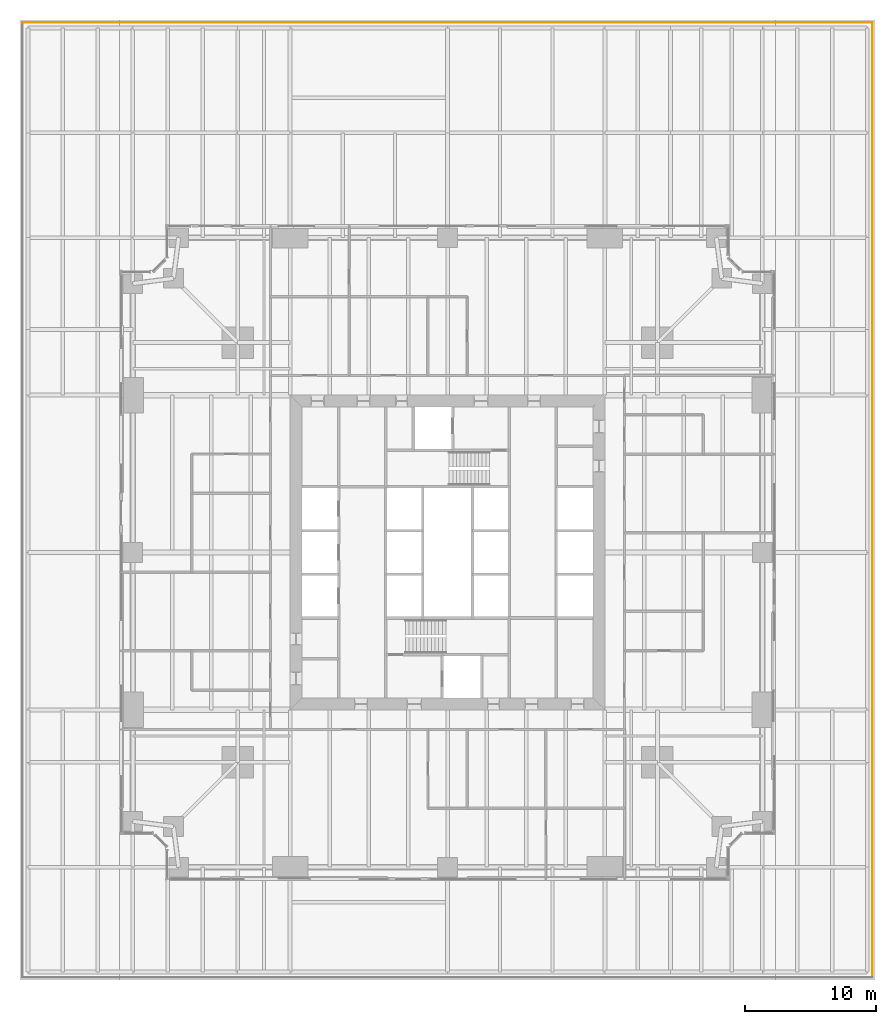
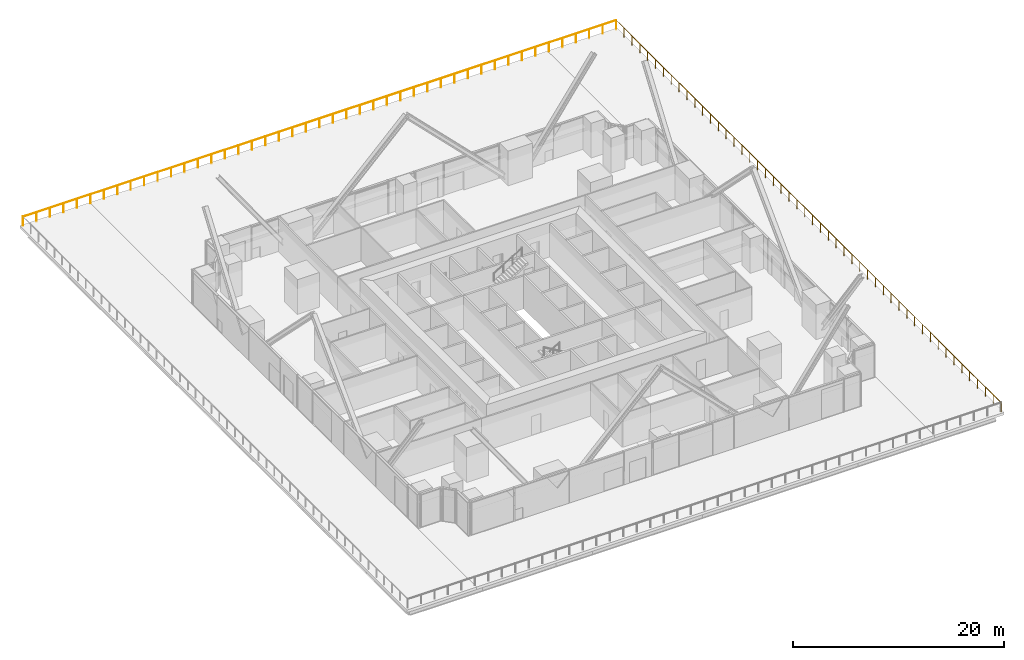
# One storey, part 21 of 21: 2 railings.
"""IFC4 building model written with IfcOpenShell, lengths in metres."""

import ifcopenshell
import ifcopenshell.guid

model = None  # the IFC model being written
_history = None  # IfcOwnerHistory: only IFC2X3 demands one
_inside = {}  # id of a spatial element -> (the spatial element, [elements in it])
_under = {}  # id of a project, library or spatial element -> (it, [spatial elements below it])
_declared = {}  # id of a project -> (the project, [libraries it declares])
_typed = {}  # id of a type object -> (the type object, [elements of that type])
_made_of = {}  # id of a material, layer set ... -> (it, [elements and type objects made of it])


def new_model(schema):
    """Start an empty IFC model of exactly this schema.

    Asked for "IFC4X3", IfcOpenShell would pick the latest addendum, in which some entities
    have other attributes; the version numbers below select the first issue.
    IFC2X3 requires an IfcOwnerHistory on every rooted entity: one is made here for all.
    """
    global model, _history
    if schema == "IFC4X3":
        model = ifcopenshell.file(schema_version=(4, 3, 0, 0))
    else:
        model = ifcopenshell.file(schema=schema)
    _inside.clear()
    _under.clear()
    _declared.clear()
    _typed.clear()
    _made_of.clear()
    _history = None
    if model.schema == "IFC2X3":
        org = make("IfcOrganization", Name="unknown")
        user = make(
            "IfcPersonAndOrganization",
            ThePerson=make("IfcPerson", FamilyName="unknown"),
            TheOrganization=org,
        )
        app = make(
            "IfcApplication",
            ApplicationDeveloper=org,
            Version="unknown",
            ApplicationFullName="unknown",
            ApplicationIdentifier="unknown",
        )
        _history = make(
            "IfcOwnerHistory",
            OwningUser=user,
            OwningApplication=app,
            ChangeAction="ADDED",
            CreationDate=0,
        )
    return model


def make(cls, **values):
    """One entity of the class cls with the attributes given. An attribute that is None is left unset."""
    return model.create_entity(
        cls, **{name: value for name, value in values.items() if value is not None}
    )


def rooted(cls, **values):
    """An entity with a GlobalId (a new one), such as an element, a storey or a relation."""
    return make(cls, GlobalId=ifcopenshell.guid.new(), OwnerHistory=_history, **values)


def si_unit(unit_type, name, prefix=None):
    """IfcSIUnit, for example si_unit("LENGTHUNIT", "METRE", prefix="MILLI")."""
    return make("IfcSIUnit", UnitType=unit_type, Prefix=prefix, Name=name)


def assignment(units):
    """IfcUnitAssignment: the units of a project."""
    return None if units is None else make("IfcUnitAssignment", Units=units)


def point(xyz):
    """IfcCartesianPoint."""
    return None if xyz is None else make("IfcCartesianPoint", Coordinates=xyz)


def direction(xyz):
    """IfcDirection."""
    return None if xyz is None else make("IfcDirection", DirectionRatios=xyz)


def frame(location, z_axis=None, x_axis=None):
    """IfcAxis2Placement3D, a coordinate frame: its origin and axes. An axis left out is left unset."""
    return make(
        "IfcAxis2Placement3D",
        Location=point(location),
        Axis=direction(z_axis),
        RefDirection=direction(x_axis),
    )


def frame_2d(location, x_axis=None):
    """IfcAxis2Placement2D, a coordinate frame in the plane: its origin and x axis."""
    return make(
        "IfcAxis2Placement2D", Location=point(location), RefDirection=direction(x_axis)
    )


def origin():
    """The frame at (0, 0, 0) with its axes left unset."""
    return frame((0.0, 0.0, 0.0))


def origin_2d():
    """The frame at (0, 0) in the plane with its x axis left unset."""
    return frame_2d((0.0, 0.0))


def place(relative_to, where):
    """IfcLocalPlacement: puts the frame where relative to a parent placement (None: the world)."""
    return make(
        "IfcLocalPlacement", PlacementRelTo=relative_to, RelativePlacement=where
    )


def context(
    kind, dimensions, precision=None, world=None, true_north=None, identifier=None
):
    """IfcGeometricRepresentationContext, for example the 3D "Model" context."""
    return make(
        "IfcGeometricRepresentationContext",
        ContextIdentifier=identifier,
        ContextType=kind,
        CoordinateSpaceDimension=dimensions,
        Precision=precision,
        WorldCoordinateSystem=world,
        TrueNorth=true_north,
    )


def subcontext(parent, identifier, kind, view, scale=None):
    """IfcGeometricRepresentationSubContext, for example "Body" below "Model"."""
    return make(
        "IfcGeometricRepresentationSubContext",
        ContextIdentifier=identifier,
        ContextType=kind,
        ParentContext=parent,
        TargetScale=scale,
        TargetView=view,
    )


def project(units=None, contexts=None):
    """IfcProject with its units and contexts."""
    return rooted(
        "IfcProject",
        Name="project",
        RepresentationContexts=contexts,
        UnitsInContext=assignment(units),
    )


def spatial(cls, under=None, at=None, **own):
    """A site, building, storey or space (cls), placed at a placement, below another one or the project."""
    s = rooted(cls, ObjectPlacement=at, **own)
    if under is not None:
        _under.setdefault(under.id(), (under, []))[1].append(s)
    return s


def profile(cls, at=None, kind="AREA", **sizes):
    """A parametric profile (cls). Its sizes go by their IFC names, for example OverallWidth=200.0."""
    return make(cls, ProfileType=kind, Position=at, **sizes)


def circle(**sizes):
    """IfcCircleProfileDef."""
    return profile("IfcCircleProfileDef", **sizes)


def extrude(swept, where, along, depth):
    """IfcExtrudedAreaSolid: the profile swept, set in the frame where, extruded along a direction by depth."""
    return make(
        "IfcExtrudedAreaSolid",
        SweptArea=swept,
        Position=where,
        ExtrudedDirection=direction(along),
        Depth=depth,
    )


def shape(context_of_items, identifier, shape_type, items):
    """IfcShapeRepresentation: the items that make up one representation, for example the "Body"."""
    return make(
        "IfcShapeRepresentation",
        ContextOfItems=context_of_items,
        RepresentationIdentifier=identifier,
        RepresentationType=shape_type,
        Items=items,
    )


def material(Name=None, Category=None):
    """IfcMaterial."""
    return make("IfcMaterial", Name=Name, Category=Category)


def made_of(thing, what):
    """Note that an element or type object is made of a material, layer set ...; save() writes the relation."""
    if what is not None:
        _made_of.setdefault(what.id(), (what, []))[1].append(thing)
    return thing


def type_object(cls, material=None, **own):
    """A type object (cls), such as IfcWallType, which elements share."""
    return made_of(rooted(cls, **own), material)


def element(
    cls,
    number,
    at=None,
    inside=None,
    cuts=None,
    type_object=None,
    material=None,
    context=None,
    identifier="Body",
    shape_type=None,
    held_by="IfcProductDefinitionShape",
    body=None,
    shapes=None,
    **own,
):
    """One element of the class cls, such as IfcWall. Its Tag is "e" and its number.

    at: its placement. inside: the storey or other place that contains it. cuts: it is an
    opening in that element (IfcRelVoidsElement). A single representation is given by context,
    identifier, shape_type and body (its items); several are given by shapes. held_by: the class
    of the entity that holds the representations. save() writes the other relations.
    """
    e = rooted(cls, Tag="e%d" % number, ObjectPlacement=at, **own)
    if body is not None:
        shapes = [shape(context, identifier, shape_type, body)]
    if shapes is not None:
        e.Representation = make(held_by, Representations=shapes)
    if inside is not None:
        _inside.setdefault(inside.id(), (inside, []))[1].append(e)
    if cuts is not None:
        rooted(
            "IfcRelVoidsElement", RelatingBuildingElement=cuts, RelatedOpeningElement=e
        )
    if type_object is not None:
        _typed.setdefault(type_object.id(), (type_object, []))[1].append(e)
    return made_of(e, material)


def aggregate(whole, parts):
    """IfcRelAggregates: a whole, such as a stair, and the parts it consists of."""
    return rooted("IfcRelAggregates", RelatingObject=whole, RelatedObjects=parts)


def save(model, path):
    """Write the relations noted so far, then the file.

    IfcRelAggregates (storeys below a building ...), IfcRelContainedInSpatialStructure (elements
    in a storey), IfcRelDefinesByType, IfcRelAssociatesMaterial and IfcRelDeclares: one each for
    every whole, place, type object, material and project.
    """
    for whole, parts in _under.values():
        aggregate(whole, parts)
    for where, things in _inside.values():
        rooted(
            "IfcRelContainedInSpatialStructure",
            RelatedElements=things,
            RelatingStructure=where,
        )
    for kind, things in _typed.values():
        rooted("IfcRelDefinesByType", RelatedObjects=things, RelatingType=kind)
    for what, things in _made_of.values():
        rooted("IfcRelAssociatesMaterial", RelatedObjects=things, RelatingMaterial=what)
    for by, libraries in _declared.values():
        rooted("IfcRelDeclares", RelatingContext=by, RelatedDefinitions=libraries)
    model.write(path)


model = new_model("IFC4")

# Units and contexts
model_context = context("Model", 3, precision=1e-05, world=origin(), true_north=direction((0.0, 1.0)))
body_context = subcontext(model_context, "Body", "Model", "MODEL_VIEW")
ifc_project = project(units=[si_unit("LENGTHUNIT", "METRE"), si_unit("AREAUNIT", "SQUARE_METRE"), si_unit("VOLUMEUNIT", "CUBIC_METRE"), si_unit("PLANEANGLEUNIT", "RADIAN"), si_unit("MASSUNIT", "GRAM", prefix="KILO")], contexts=[model_context])

# Site, building, storey
site_placement = place(None, origin())
site = spatial("IfcSite", under=ifc_project, at=site_placement, CompositionType="ELEMENT")
building_placement = place(site_placement, origin())
building = spatial("IfcBuilding", under=site, at=building_placement, Name="Fenwick Lantern Interchange", CompositionType="ELEMENT")
storey_placement = place(building_placement, frame((0.0, 0.0, 31.0)))
storey = spatial("IfcBuildingStorey", under=building, at=storey_placement, Name="L06", CompositionType="ELEMENT", Elevation=31.0)

# Railings
ifc_material = material(Name="Stainless steel and laminated glass guard", Category="steel")
railing_type = type_object("IfcRailingType", Name="TERRACE GUARD 1100", PredefinedType="GUARDRAIL", material=ifc_material)
railing_1_placement = place(storey_placement, frame((57.39990234375, -7.39990234375, 0.0)))
element("IfcRailing", 1, at=railing_1_placement, inside=storey, type_object=railing_type, Name="L06/GR/2", PredefinedType="GUARDRAIL", context=body_context, shape_type="SweptSolid", body=[
    extrude(circle(Radius=0.02392578125, at=origin_2d()), frame((0.0, 0.0, 1.076171875), z_axis=(0.0, 1.0, 0.0), x_axis=(-1.0, 0.0, 0.0)), (0.0, 0.0, 1.0), 72.7998046875),
    extrude(circle(Radius=0.02099609375, at=origin_2d()), origin(), (0.0, 0.0, 1.0), 1.052001953125),
    extrude(circle(Radius=0.02099609375, at=origin_2d()), frame((0.0, 1.485595703125, 0.0)), (0.0, 0.0, 1.0), 1.052001953125),
    extrude(circle(Radius=0.02099609375, at=origin_2d()), frame((0.0, 2.971435546875, 0.0)), (0.0, 0.0, 1.0), 1.052001953125),
    extrude(circle(Radius=0.02099609375, at=origin_2d()), frame((0.0, 4.45703125, 0.0)), (0.0, 0.0, 1.0), 1.052001953125),
    extrude(circle(Radius=0.02099609375, at=origin_2d()), frame((0.0, 5.94287109375, 0.0)), (0.0, 0.0, 1.0), 1.052001953125),
    extrude(circle(Radius=0.02099609375, at=origin_2d()), frame((0.0, 7.428466796875, 0.0)), (0.0, 0.0, 1.0), 1.052001953125),
    extrude(circle(Radius=0.02099609375, at=origin_2d()), frame((0.0, 8.914306640625, 0.0)), (0.0, 0.0, 1.0), 1.052001953125),
    extrude(circle(Radius=0.02099609375, at=origin_2d()), frame((0.0, 10.39990234375, 0.0)), (0.0, 0.0, 1.0), 1.052001953125),
    extrude(circle(Radius=0.02099609375, at=origin_2d()), frame((0.0, 11.8857421875, 0.0)), (0.0, 0.0, 1.0), 1.052001953125),
    extrude(circle(Radius=0.02099609375, at=origin_2d()), frame((0.0, 13.371337890625, 0.0)), (0.0, 0.0, 1.0), 1.052001953125),
    extrude(circle(Radius=0.02099609375, at=origin_2d()), frame((0.0, 14.857177734375, 0.0)), (0.0, 0.0, 1.0), 1.052001953125),
    extrude(circle(Radius=0.02099609375, at=origin_2d()), frame((0.0, 16.3427734375, 0.0)), (0.0, 0.0, 1.0), 1.052001953125),
    extrude(circle(Radius=0.02099609375, at=origin_2d()), frame((0.0, 17.82861328125, 0.0)), (0.0, 0.0, 1.0), 1.052001953125),
    extrude(circle(Radius=0.02099609375, at=origin_2d()), frame((0.0, 19.314208984375, 0.0)), (0.0, 0.0, 1.0), 1.052001953125),
    extrude(circle(Radius=0.02099609375, at=origin_2d()), frame((0.0, 20.800048828125, 0.0)), (0.0, 0.0, 1.0), 1.052001953125),
    extrude(circle(Radius=0.02099609375, at=origin_2d()), frame((0.0, 22.28564453125, 0.0)), (0.0, 0.0, 1.0), 1.052001953125),
    extrude(circle(Radius=0.02099609375, at=origin_2d()), frame((0.0, 23.771484375, 0.0)), (0.0, 0.0, 1.0), 1.052001953125),
    extrude(circle(Radius=0.02099609375, at=origin_2d()), frame((0.0, 25.257080078125, 0.0)), (0.0, 0.0, 1.0), 1.052001953125),
    extrude(circle(Radius=0.02099609375, at=origin_2d()), frame((0.0, 26.74267578125, 0.0)), (0.0, 0.0, 1.0), 1.052001953125),
    extrude(circle(Radius=0.02099609375, at=origin_2d()), frame((0.0, 28.228515625, 0.0)), (0.0, 0.0, 1.0), 1.052001953125),
    extrude(circle(Radius=0.02099609375, at=origin_2d()), frame((0.0, 29.714111328125, 0.0)), (0.0, 0.0, 1.0), 1.052001953125),
    extrude(circle(Radius=0.02099609375, at=origin_2d()), frame((0.0, 31.199951171875, 0.0)), (0.0, 0.0, 1.0), 1.052001953125),
    extrude(circle(Radius=0.02099609375, at=origin_2d()), frame((0.0, 32.685546875, 0.0)), (0.0, 0.0, 1.0), 1.052001953125),
    extrude(circle(Radius=0.02099609375, at=origin_2d()), frame((0.0, 34.17138671875, 0.0)), (0.0, 0.0, 1.0), 1.052001953125),
    extrude(circle(Radius=0.02099609375, at=origin_2d()), frame((0.0, 35.656982421875, 0.0)), (0.0, 0.0, 1.0), 1.052001953125),
    extrude(circle(Radius=0.02099609375, at=origin_2d()), frame((0.0, 37.142822265625, 0.0)), (0.0, 0.0, 1.0), 1.052001953125),
    extrude(circle(Radius=0.02099609375, at=origin_2d()), frame((0.0, 38.62841796875, 0.0)), (0.0, 0.0, 1.0), 1.052001953125),
    extrude(circle(Radius=0.02099609375, at=origin_2d()), frame((0.0, 40.1142578125, 0.0)), (0.0, 0.0, 1.0), 1.052001953125),
    extrude(circle(Radius=0.02099609375, at=origin_2d()), frame((0.0, 41.599853515625, 0.0)), (0.0, 0.0, 1.0), 1.052001953125),
    extrude(circle(Radius=0.02099609375, at=origin_2d()), frame((0.0, 43.085693359375, 0.0)), (0.0, 0.0, 1.0), 1.052001953125),
    extrude(circle(Radius=0.02099609375, at=origin_2d()), frame((0.0, 44.5712890625, 0.0)), (0.0, 0.0, 1.0), 1.052001953125),
    extrude(circle(Radius=0.02099609375, at=origin_2d()), frame((0.0, 46.05712890625, 0.0)), (0.0, 0.0, 1.0), 1.052001953125),
    extrude(circle(Radius=0.02099609375, at=origin_2d()), frame((0.0, 47.542724609375, 0.0)), (0.0, 0.0, 1.0), 1.052001953125),
    extrude(circle(Radius=0.02099609375, at=origin_2d()), frame((0.0, 49.0283203125, 0.0)), (0.0, 0.0, 1.0), 1.052001953125),
    extrude(circle(Radius=0.02099609375, at=origin_2d()), frame((0.0, 50.51416015625, 0.0)), (0.0, 0.0, 1.0), 1.052001953125),
    extrude(circle(Radius=0.02099609375, at=origin_2d()), frame((0.0, 51.999755859375, 0.0)), (0.0, 0.0, 1.0), 1.052001953125),
    extrude(circle(Radius=0.02099609375, at=origin_2d()), frame((0.0, 53.485595703125, 0.0)), (0.0, 0.0, 1.0), 1.052001953125),
    extrude(circle(Radius=0.02099609375, at=origin_2d()), frame((0.0, 54.97119140625, 0.0)), (0.0, 0.0, 1.0), 1.052001953125),
    extrude(circle(Radius=0.02099609375, at=origin_2d()), frame((0.0, 56.45703125, 0.0)), (0.0, 0.0, 1.0), 1.052001953125),
    extrude(circle(Radius=0.02099609375, at=origin_2d()), frame((0.0, 57.942626953125, 0.0)), (0.0, 0.0, 1.0), 1.052001953125),
    extrude(circle(Radius=0.02099609375, at=origin_2d()), frame((0.0, 59.428466796875, 0.0)), (0.0, 0.0, 1.0), 1.052001953125),
    extrude(circle(Radius=0.02099609375, at=origin_2d()), frame((0.0, 60.9140625, 0.0)), (0.0, 0.0, 1.0), 1.052001953125),
    extrude(circle(Radius=0.02099609375, at=origin_2d()), frame((0.0, 62.39990234375, 0.0)), (0.0, 0.0, 1.0), 1.052001953125),
    extrude(circle(Radius=0.02099609375, at=origin_2d()), frame((0.0, 63.885498046875, 0.0)), (0.0, 0.0, 1.0), 1.052001953125),
    extrude(circle(Radius=0.02099609375, at=origin_2d()), frame((0.0, 65.371337890625, 0.0)), (0.0, 0.0, 1.0), 1.052001953125),
    extrude(circle(Radius=0.02099609375, at=origin_2d()), frame((0.0, 66.85693359375, 0.0)), (0.0, 0.0, 1.0), 1.052001953125),
    extrude(circle(Radius=0.02099609375, at=origin_2d()), frame((0.0, 68.3427734375, 0.0)), (0.0, 0.0, 1.0), 1.052001953125),
    extrude(circle(Radius=0.02099609375, at=origin_2d()), frame((0.0, 69.828369140625, 0.0)), (0.0, 0.0, 1.0), 1.052001953125),
    extrude(circle(Radius=0.02099609375, at=origin_2d()), frame((0.0, 71.314208984375, 0.0)), (0.0, 0.0, 1.0), 1.052001953125),
    extrude(circle(Radius=0.02099609375, at=origin_2d()), frame((0.0, 72.7998046875, 0.0)), (0.0, 0.0, 1.0), 1.052001953125),
])
railing_2_placement = place(storey_placement, frame((57.39990234375, 65.39990234375, 0.0)))
element("IfcRailing", 2, at=railing_2_placement, inside=storey, type_object=railing_type, Name="L06/GR/3", PredefinedType="GUARDRAIL", context=body_context, shape_type="SweptSolid", body=[
    extrude(circle(Radius=0.02392578125, at=origin_2d()), frame((0.0, 0.0, 1.076171875), z_axis=(-1.0, 0.0, 0.0), x_axis=(0.0, -1.0, 0.0)), (0.0, 0.0, 1.0), 64.7998046875),
    extrude(circle(Radius=0.02099609375, at=origin_2d()), origin(), (0.0, 0.0, 1.0), 1.052001953125),
    extrude(circle(Radius=0.02099609375, at=origin_2d()), frame((-1.47265625, 0.0, 0.0)), (0.0, 0.0, 1.0), 1.052001953125),
    extrude(circle(Radius=0.02099609375, at=origin_2d()), frame((-2.945556640625, 0.0, 0.0)), (0.0, 0.0, 1.0), 1.052001953125),
    extrude(circle(Radius=0.02099609375, at=origin_2d()), frame((-4.418212890625, 0.0, 0.0)), (0.0, 0.0, 1.0), 1.052001953125),
    extrude(circle(Radius=0.02099609375, at=origin_2d()), frame((-5.890869140625, 0.0, 0.0)), (0.0, 0.0, 1.0), 1.052001953125),
    extrude(circle(Radius=0.02099609375, at=origin_2d()), frame((-7.363525390625, 0.0, 0.0)), (0.0, 0.0, 1.0), 1.052001953125),
    extrude(circle(Radius=0.02099609375, at=origin_2d()), frame((-8.83642578125, 0.0, 0.0)), (0.0, 0.0, 1.0), 1.052001953125),
    extrude(circle(Radius=0.02099609375, at=origin_2d()), frame((-10.30908203125, 0.0, 0.0)), (0.0, 0.0, 1.0), 1.052001953125),
    extrude(circle(Radius=0.02099609375, at=origin_2d()), frame((-11.78173828125, 0.0, 0.0)), (0.0, 0.0, 1.0), 1.052001953125),
    extrude(circle(Radius=0.02099609375, at=origin_2d()), frame((-13.25439453125, 0.0, 0.0)), (0.0, 0.0, 1.0), 1.052001953125),
    extrude(circle(Radius=0.02099609375, at=origin_2d()), frame((-14.727294921875, 0.0, 0.0)), (0.0, 0.0, 1.0), 1.052001953125),
    extrude(circle(Radius=0.02099609375, at=origin_2d()), frame((-16.199951171875, 0.0, 0.0)), (0.0, 0.0, 1.0), 1.052001953125),
    extrude(circle(Radius=0.02099609375, at=origin_2d()), frame((-17.672607421875, 0.0, 0.0)), (0.0, 0.0, 1.0), 1.052001953125),
    extrude(circle(Radius=0.02099609375, at=origin_2d()), frame((-19.1455078125, 0.0, 0.0)), (0.0, 0.0, 1.0), 1.052001953125),
    extrude(circle(Radius=0.02099609375, at=origin_2d()), frame((-20.6181640625, 0.0, 0.0)), (0.0, 0.0, 1.0), 1.052001953125),
    extrude(circle(Radius=0.02099609375, at=origin_2d()), frame((-22.0908203125, 0.0, 0.0)), (0.0, 0.0, 1.0), 1.052001953125),
    extrude(circle(Radius=0.02099609375, at=origin_2d()), frame((-23.5634765625, 0.0, 0.0)), (0.0, 0.0, 1.0), 1.052001953125),
    extrude(circle(Radius=0.02099609375, at=origin_2d()), frame((-25.036376953125, 0.0, 0.0)), (0.0, 0.0, 1.0), 1.052001953125),
    extrude(circle(Radius=0.02099609375, at=origin_2d()), frame((-26.509033203125, 0.0, 0.0)), (0.0, 0.0, 1.0), 1.052001953125),
    extrude(circle(Radius=0.02099609375, at=origin_2d()), frame((-27.981689453125, 0.0, 0.0)), (0.0, 0.0, 1.0), 1.052001953125),
    extrude(circle(Radius=0.02099609375, at=origin_2d()), frame((-29.454345703125, 0.0, 0.0)), (0.0, 0.0, 1.0), 1.052001953125),
    extrude(circle(Radius=0.02099609375, at=origin_2d()), frame((-30.92724609375, 0.0, 0.0)), (0.0, 0.0, 1.0), 1.052001953125),
    extrude(circle(Radius=0.02099609375, at=origin_2d()), frame((-32.39990234375, 0.0, 0.0)), (0.0, 0.0, 1.0), 1.052001953125),
    extrude(circle(Radius=0.02099609375, at=origin_2d()), frame((-33.87255859375, 0.0, 0.0)), (0.0, 0.0, 1.0), 1.052001953125),
    extrude(circle(Radius=0.02099609375, at=origin_2d()), frame((-35.345458984375, 0.0, 0.0)), (0.0, 0.0, 1.0), 1.052001953125),
    extrude(circle(Radius=0.02099609375, at=origin_2d()), frame((-36.818115234375, 0.0, 0.0)), (0.0, 0.0, 1.0), 1.052001953125),
    extrude(circle(Radius=0.02099609375, at=origin_2d()), frame((-38.290771484375, 0.0, 0.0)), (0.0, 0.0, 1.0), 1.052001953125),
    extrude(circle(Radius=0.02099609375, at=origin_2d()), frame((-39.763427734375, 0.0, 0.0)), (0.0, 0.0, 1.0), 1.052001953125),
    extrude(circle(Radius=0.02099609375, at=origin_2d()), frame((-41.236328125, 0.0, 0.0)), (0.0, 0.0, 1.0), 1.052001953125),
    extrude(circle(Radius=0.02099609375, at=origin_2d()), frame((-42.708984375, 0.0, 0.0)), (0.0, 0.0, 1.0), 1.052001953125),
    extrude(circle(Radius=0.02099609375, at=origin_2d()), frame((-44.181640625, 0.0, 0.0)), (0.0, 0.0, 1.0), 1.052001953125),
    extrude(circle(Radius=0.02099609375, at=origin_2d()), frame((-45.654296875, 0.0, 0.0)), (0.0, 0.0, 1.0), 1.052001953125),
    extrude(circle(Radius=0.02099609375, at=origin_2d()), frame((-47.127197265625, 0.0, 0.0)), (0.0, 0.0, 1.0), 1.052001953125),
    extrude(circle(Radius=0.02099609375, at=origin_2d()), frame((-48.599853515625, 0.0, 0.0)), (0.0, 0.0, 1.0), 1.052001953125),
    extrude(circle(Radius=0.02099609375, at=origin_2d()), frame((-50.072509765625, 0.0, 0.0)), (0.0, 0.0, 1.0), 1.052001953125),
    extrude(circle(Radius=0.02099609375, at=origin_2d()), frame((-51.54541015625, 0.0, 0.0)), (0.0, 0.0, 1.0), 1.052001953125),
    extrude(circle(Radius=0.02099609375, at=origin_2d()), frame((-53.01806640625, 0.0, 0.0)), (0.0, 0.0, 1.0), 1.052001953125),
    extrude(circle(Radius=0.02099609375, at=origin_2d()), frame((-54.49072265625, 0.0, 0.0)), (0.0, 0.0, 1.0), 1.052001953125),
    extrude(circle(Radius=0.02099609375, at=origin_2d()), frame((-55.96337890625, 0.0, 0.0)), (0.0, 0.0, 1.0), 1.052001953125),
    extrude(circle(Radius=0.02099609375, at=origin_2d()), frame((-57.436279296875, 0.0, 0.0)), (0.0, 0.0, 1.0), 1.052001953125),
    extrude(circle(Radius=0.02099609375, at=origin_2d()), frame((-58.908935546875, 0.0, 0.0)), (0.0, 0.0, 1.0), 1.052001953125),
    extrude(circle(Radius=0.02099609375, at=origin_2d()), frame((-60.381591796875, 0.0, 0.0)), (0.0, 0.0, 1.0), 1.052001953125),
    extrude(circle(Radius=0.02099609375, at=origin_2d()), frame((-61.854248046875, 0.0, 0.0)), (0.0, 0.0, 1.0), 1.052001953125),
    extrude(circle(Radius=0.02099609375, at=origin_2d()), frame((-63.3271484375, 0.0, 0.0)), (0.0, 0.0, 1.0), 1.052001953125),
    extrude(circle(Radius=0.02099609375, at=origin_2d()), frame((-64.7998046875, 0.0, 0.0)), (0.0, 0.0, 1.0), 1.052001953125),
])

save(model, "model.ifc")
